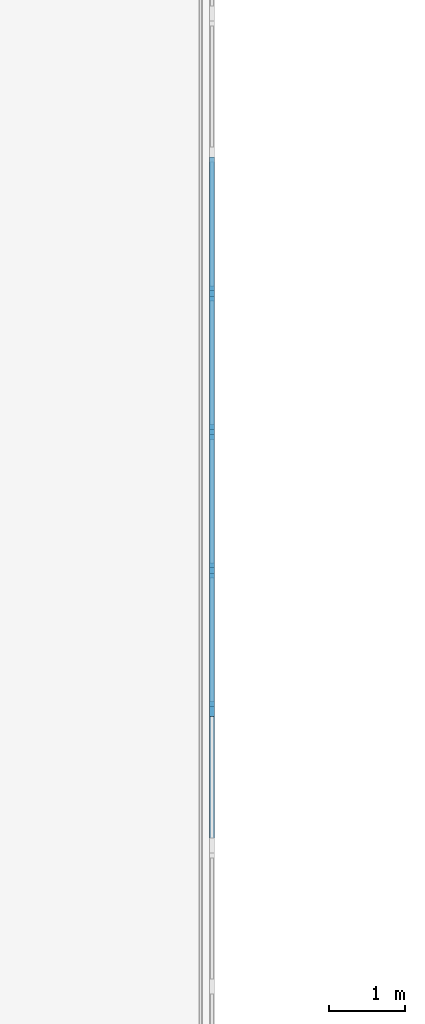
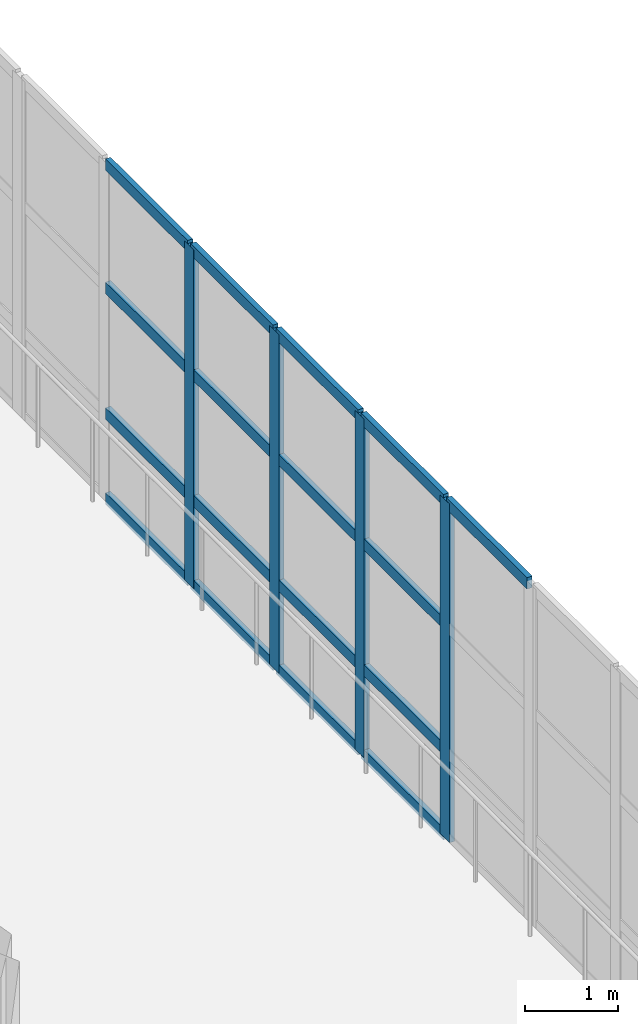
# One storey, part 15 of 49: 21 members, 1 element without a shape of its own.
"""IFC4 building model written with IfcOpenShell, lengths in metres."""

from ifc_helpers import new_model, si_unit, direction, frame, origin, origin_2d, place, context, subcontext, project, spatial, rectangle, extrude, material, material_profile, profile_set, type_object, element, aggregate, save


model = new_model("IFC4")

# Units and contexts
model_context = context("Model", 3, precision=1e-05, world=origin(), true_north=direction((0.0, 1.0)))
body_context = subcontext(model_context, "Body", "Model", "MODEL_VIEW")
ifc_project = project(units=[si_unit("LENGTHUNIT", "METRE"), si_unit("AREAUNIT", "SQUARE_METRE"), si_unit("VOLUMEUNIT", "CUBIC_METRE"), si_unit("PLANEANGLEUNIT", "RADIAN"), si_unit("MASSUNIT", "GRAM", prefix="KILO")], contexts=[model_context])

# Site, building, storey
site_placement = place(None, origin())
site = spatial("IfcSite", under=ifc_project, at=site_placement, CompositionType="ELEMENT")
building_placement = place(site_placement, origin())
building = spatial("IfcBuilding", under=site, at=building_placement, Name="Luwafu Chhajja Arena", CompositionType="ELEMENT")
storey_placement = place(building_placement, frame((0.0, 0.0, 24.300048828125)))
storey = spatial("IfcBuildingStorey", under=building, at=storey_placement, Name="L05", CompositionType="ELEMENT", Elevation=24.300048828125)

# Curtain wall, members
ifc_material = material(Name="Anodised bronze aluminium", Category="aluminium")
curtain_wall_type = type_object("IfcCurtainWallType", Name="VIP Club Terrace Curtain Wall", PredefinedType="USERDEFINED", material=ifc_material)
curtain_wall_placement = place(storey_placement, origin())
curtain_wall = element("IfcCurtainWall", 1, at=curtain_wall_placement, inside=storey, type_object=curtain_wall_type, Name="L05 Bowl Viewing Curtain Wall CWR-L05-18", ObjectType="CURTAIN WALL", PredefinedType="USERDEFINED")
ifc_material_profile_1 = material_profile(ifc_material, rectangle(XDim=0.06494140625, YDim=0.199951171875, at=origin_2d()), Name="CWM 65x200")
ifc_profile_set_1 = profile_set([ifc_material_profile_1], Name="Anodised bronze aluminium")
member_type_1 = type_object("IfcMemberType", Name="Bronze Curtain Wall Mullion 65x200", PredefinedType="MULLION", material=ifc_profile_set_1)
member_1_placement = place(storey_placement, frame((58.0, 56.833251953125, 0.0), z_axis=(0.0, 0.0, 1.0), x_axis=(-1.0, 0.0, 0.0)))
member_1 = element("IfcMember", 2, at=member_1_placement, type_object=member_type_1, Name="CW-10 mullion 2", PredefinedType="MULLION", context=body_context, shape_type="SweptSolid", body=[
    extrude(rectangle(XDim=0.06494140625, YDim=0.199951171875, at=origin_2d()), origin(), (0.0, 0.0, 1.0), 4.449951171875),
])
member_2_placement = place(storey_placement, frame((58.0, 58.666748046875, 0.0), z_axis=(0.0, 0.0, 1.0), x_axis=(-1.0, 0.0, 0.0)))
member_2 = element("IfcMember", 3, at=member_2_placement, type_object=member_type_1, Name="CW-10 mullion 3", PredefinedType="MULLION", context=body_context, shape_type="SweptSolid", body=[
    extrude(rectangle(XDim=0.06494140625, YDim=0.199951171875, at=origin_2d()), origin(), (0.0, 0.0, 1.0), 4.449951171875),
])
member_3_placement = place(storey_placement, frame((58.0, 60.5, 0.0), z_axis=(0.0, 0.0, 1.0), x_axis=(-1.0, 0.0, 0.0)))
member_3 = element("IfcMember", 4, at=member_3_placement, type_object=member_type_1, Name="CW-10 mullion 4", PredefinedType="MULLION", context=body_context, shape_type="SweptSolid", body=[
    extrude(rectangle(XDim=0.06494140625, YDim=0.199951171875, at=origin_2d()), origin(), (0.0, 0.0, 1.0), 4.449951171875),
])
member_4_placement = place(storey_placement, frame((58.0, 62.333251953125, 0.0), z_axis=(0.0, 0.0, 1.0), x_axis=(-1.0, 0.0, 0.0)))
member_4 = element("IfcMember", 5, at=member_4_placement, type_object=member_type_1, Name="CW-10 mullion 5", PredefinedType="MULLION", context=body_context, shape_type="SweptSolid", body=[
    extrude(rectangle(XDim=0.06494140625, YDim=0.199951171875, at=origin_2d()), origin(), (0.0, 0.0, 1.0), 4.449951171875),
])
ifc_material_profile_2 = material_profile(ifc_material, rectangle(XDim=0.06494140625, YDim=0.14990234375, at=origin_2d()), Name="CWT 65x150")
ifc_profile_set_2 = profile_set([ifc_material_profile_2], Name="Anodised bronze aluminium")
member_type_2 = type_object("IfcMemberType", Name="Bronze Curtain Wall Transom 65x150", PredefinedType="USERDEFINED", material=ifc_profile_set_2)
member_5_placement = place(storey_placement, frame((58.0, 55.06494140625, 4.41748046875), z_axis=(0.0, 1.0, 0.0), x_axis=(-1.0, 0.0, 0.0)))
member_5 = element("IfcMember", 6, at=member_5_placement, type_object=member_type_2, Name="CW-10 transom 1.4", ObjectType="TRANSOM", PredefinedType="USERDEFINED", context=body_context, shape_type="SweptSolid", body=[
    extrude(rectangle(XDim=0.06494140625, YDim=0.14990234375, at=origin_2d()), origin(), (0.0, 0.0, 1.0), 1.73583984375),
])
member_6_placement = place(storey_placement, frame((58.0, 56.86572265625, 0.032470703125), z_axis=(0.0, 1.0, 0.0), x_axis=(-1.0, 0.0, 0.0)))
member_6 = element("IfcMember", 7, at=member_6_placement, type_object=member_type_2, Name="CW-10 transom 2.1", ObjectType="TRANSOM", PredefinedType="USERDEFINED", context=body_context, shape_type="SweptSolid", body=[
    extrude(rectangle(XDim=0.06494140625, YDim=0.14990234375, at=origin_2d()), origin(), (0.0, 0.0, 1.0), 1.7685546875),
])
member_7_placement = place(storey_placement, frame((58.0, 56.86572265625, 1.14990234375), z_axis=(0.0, 1.0, 0.0), x_axis=(-1.0, 0.0, 0.0)))
member_7 = element("IfcMember", 8, at=member_7_placement, type_object=member_type_2, Name="CW-10 transom 2.2", ObjectType="TRANSOM", PredefinedType="USERDEFINED", context=body_context, shape_type="SweptSolid", body=[
    extrude(rectangle(XDim=0.06494140625, YDim=0.14990234375, at=origin_2d()), origin(), (0.0, 0.0, 1.0), 1.7685546875),
])
member_8_placement = place(storey_placement, frame((58.0, 56.86572265625, 2.800048828125), z_axis=(0.0, 1.0, 0.0), x_axis=(-1.0, 0.0, 0.0)))
member_8 = element("IfcMember", 9, at=member_8_placement, type_object=member_type_2, Name="CW-10 transom 2.3", ObjectType="TRANSOM", PredefinedType="USERDEFINED", context=body_context, shape_type="SweptSolid", body=[
    extrude(rectangle(XDim=0.06494140625, YDim=0.14990234375, at=origin_2d()), origin(), (0.0, 0.0, 1.0), 1.7685546875),
])
member_9_placement = place(storey_placement, frame((58.0, 56.86572265625, 4.41748046875), z_axis=(0.0, 1.0, 0.0), x_axis=(-1.0, 0.0, 0.0)))
member_9 = element("IfcMember", 10, at=member_9_placement, type_object=member_type_2, Name="CW-10 transom 2.4", ObjectType="TRANSOM", PredefinedType="USERDEFINED", context=body_context, shape_type="SweptSolid", body=[
    extrude(rectangle(XDim=0.06494140625, YDim=0.14990234375, at=origin_2d()), origin(), (0.0, 0.0, 1.0), 1.7685546875),
])
member_10_placement = place(storey_placement, frame((58.0, 58.69921875, 0.032470703125), z_axis=(0.0, 1.0, 0.0), x_axis=(-1.0, 0.0, 0.0)))
member_10 = element("IfcMember", 11, at=member_10_placement, type_object=member_type_2, Name="CW-10 transom 3.1", ObjectType="TRANSOM", PredefinedType="USERDEFINED", context=body_context, shape_type="SweptSolid", body=[
    extrude(rectangle(XDim=0.06494140625, YDim=0.14990234375, at=origin_2d()), origin(), (0.0, 0.0, 1.0), 1.768310546875),
])
member_11_placement = place(storey_placement, frame((58.0, 58.69921875, 1.14990234375), z_axis=(0.0, 1.0, 0.0), x_axis=(-1.0, 0.0, 0.0)))
member_11 = element("IfcMember", 12, at=member_11_placement, type_object=member_type_2, Name="CW-10 transom 3.2", ObjectType="TRANSOM", PredefinedType="USERDEFINED", context=body_context, shape_type="SweptSolid", body=[
    extrude(rectangle(XDim=0.06494140625, YDim=0.14990234375, at=origin_2d()), origin(), (0.0, 0.0, 1.0), 1.768310546875),
])
member_12_placement = place(storey_placement, frame((58.0, 58.69921875, 2.800048828125), z_axis=(0.0, 1.0, 0.0), x_axis=(-1.0, 0.0, 0.0)))
member_12 = element("IfcMember", 13, at=member_12_placement, type_object=member_type_2, Name="CW-10 transom 3.3", ObjectType="TRANSOM", PredefinedType="USERDEFINED", context=body_context, shape_type="SweptSolid", body=[
    extrude(rectangle(XDim=0.06494140625, YDim=0.14990234375, at=origin_2d()), origin(), (0.0, 0.0, 1.0), 1.768310546875),
])
member_13_placement = place(storey_placement, frame((58.0, 58.69921875, 4.41748046875), z_axis=(0.0, 1.0, 0.0), x_axis=(-1.0, 0.0, 0.0)))
member_13 = element("IfcMember", 14, at=member_13_placement, type_object=member_type_2, Name="CW-10 transom 3.4", ObjectType="TRANSOM", PredefinedType="USERDEFINED", context=body_context, shape_type="SweptSolid", body=[
    extrude(rectangle(XDim=0.06494140625, YDim=0.14990234375, at=origin_2d()), origin(), (0.0, 0.0, 1.0), 1.768310546875),
])
member_14_placement = place(storey_placement, frame((58.0, 60.532470703125, 0.032470703125), z_axis=(0.0, 1.0, 0.0), x_axis=(-1.0, 0.0, 0.0)))
member_14 = element("IfcMember", 15, at=member_14_placement, type_object=member_type_2, Name="CW-10 transom 4.1", ObjectType="TRANSOM", PredefinedType="USERDEFINED", context=body_context, shape_type="SweptSolid", body=[
    extrude(rectangle(XDim=0.06494140625, YDim=0.14990234375, at=origin_2d()), origin(), (0.0, 0.0, 1.0), 1.768310546875),
])
member_15_placement = place(storey_placement, frame((58.0, 60.532470703125, 1.14990234375), z_axis=(0.0, 1.0, 0.0), x_axis=(-1.0, 0.0, 0.0)))
member_15 = element("IfcMember", 16, at=member_15_placement, type_object=member_type_2, Name="CW-10 transom 4.2", ObjectType="TRANSOM", PredefinedType="USERDEFINED", context=body_context, shape_type="SweptSolid", body=[
    extrude(rectangle(XDim=0.06494140625, YDim=0.14990234375, at=origin_2d()), origin(), (0.0, 0.0, 1.0), 1.768310546875),
])
member_16_placement = place(storey_placement, frame((58.0, 60.532470703125, 2.800048828125), z_axis=(0.0, 1.0, 0.0), x_axis=(-1.0, 0.0, 0.0)))
member_16 = element("IfcMember", 17, at=member_16_placement, type_object=member_type_2, Name="CW-10 transom 4.3", ObjectType="TRANSOM", PredefinedType="USERDEFINED", context=body_context, shape_type="SweptSolid", body=[
    extrude(rectangle(XDim=0.06494140625, YDim=0.14990234375, at=origin_2d()), origin(), (0.0, 0.0, 1.0), 1.768310546875),
])
member_17_placement = place(storey_placement, frame((58.0, 60.532470703125, 4.41748046875), z_axis=(0.0, 1.0, 0.0), x_axis=(-1.0, 0.0, 0.0)))
member_17 = element("IfcMember", 18, at=member_17_placement, type_object=member_type_2, Name="CW-10 transom 4.4", ObjectType="TRANSOM", PredefinedType="USERDEFINED", context=body_context, shape_type="SweptSolid", body=[
    extrude(rectangle(XDim=0.06494140625, YDim=0.14990234375, at=origin_2d()), origin(), (0.0, 0.0, 1.0), 1.768310546875),
])
member_18_placement = place(storey_placement, frame((58.0, 62.36572265625, 0.032470703125), z_axis=(0.0, 1.0, 0.0), x_axis=(-1.0, 0.0, 0.0)))
member_18 = element("IfcMember", 19, at=member_18_placement, type_object=member_type_2, Name="CW-10 transom 5.1", ObjectType="TRANSOM", PredefinedType="USERDEFINED", context=body_context, shape_type="SweptSolid", body=[
    extrude(rectangle(XDim=0.06494140625, YDim=0.14990234375, at=origin_2d()), origin(), (0.0, 0.0, 1.0), 1.7685546875),
])
member_19_placement = place(storey_placement, frame((58.0, 62.36572265625, 1.14990234375), z_axis=(0.0, 1.0, 0.0), x_axis=(-1.0, 0.0, 0.0)))
member_19 = element("IfcMember", 20, at=member_19_placement, type_object=member_type_2, Name="CW-10 transom 5.2", ObjectType="TRANSOM", PredefinedType="USERDEFINED", context=body_context, shape_type="SweptSolid", body=[
    extrude(rectangle(XDim=0.06494140625, YDim=0.14990234375, at=origin_2d()), origin(), (0.0, 0.0, 1.0), 1.7685546875),
])
member_20_placement = place(storey_placement, frame((58.0, 62.36572265625, 2.800048828125), z_axis=(0.0, 1.0, 0.0), x_axis=(-1.0, 0.0, 0.0)))
member_20 = element("IfcMember", 21, at=member_20_placement, type_object=member_type_2, Name="CW-10 transom 5.3", ObjectType="TRANSOM", PredefinedType="USERDEFINED", context=body_context, shape_type="SweptSolid", body=[
    extrude(rectangle(XDim=0.06494140625, YDim=0.14990234375, at=origin_2d()), origin(), (0.0, 0.0, 1.0), 1.7685546875),
])
member_21_placement = place(storey_placement, frame((58.0, 62.36572265625, 4.41748046875), z_axis=(0.0, 1.0, 0.0), x_axis=(-1.0, 0.0, 0.0)))
member_21 = element("IfcMember", 22, at=member_21_placement, type_object=member_type_2, Name="CW-10 transom 5.4", ObjectType="TRANSOM", PredefinedType="USERDEFINED", context=body_context, shape_type="SweptSolid", body=[
    extrude(rectangle(XDim=0.06494140625, YDim=0.14990234375, at=origin_2d()), origin(), (0.0, 0.0, 1.0), 1.7685546875),
])
aggregate(curtain_wall, [member_1, member_2, member_3, member_4, member_5, member_6, member_7, member_8, member_9, member_10, member_11, member_12, member_13, member_14, member_15, member_16, member_17, member_18, member_19, member_20, member_21])

save(model, "model.ifc")
